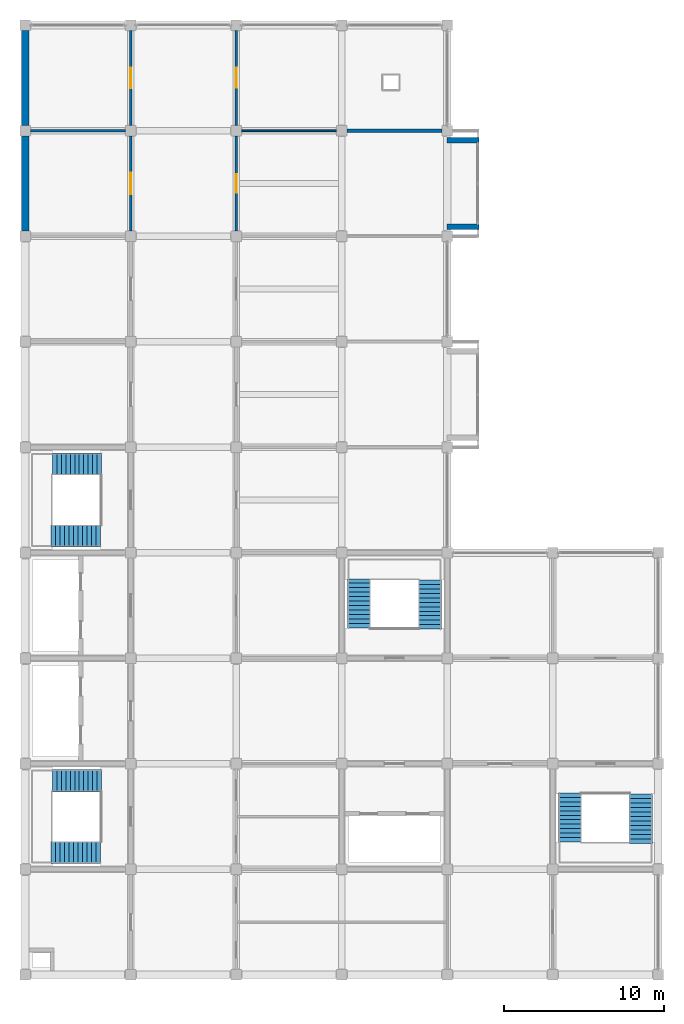
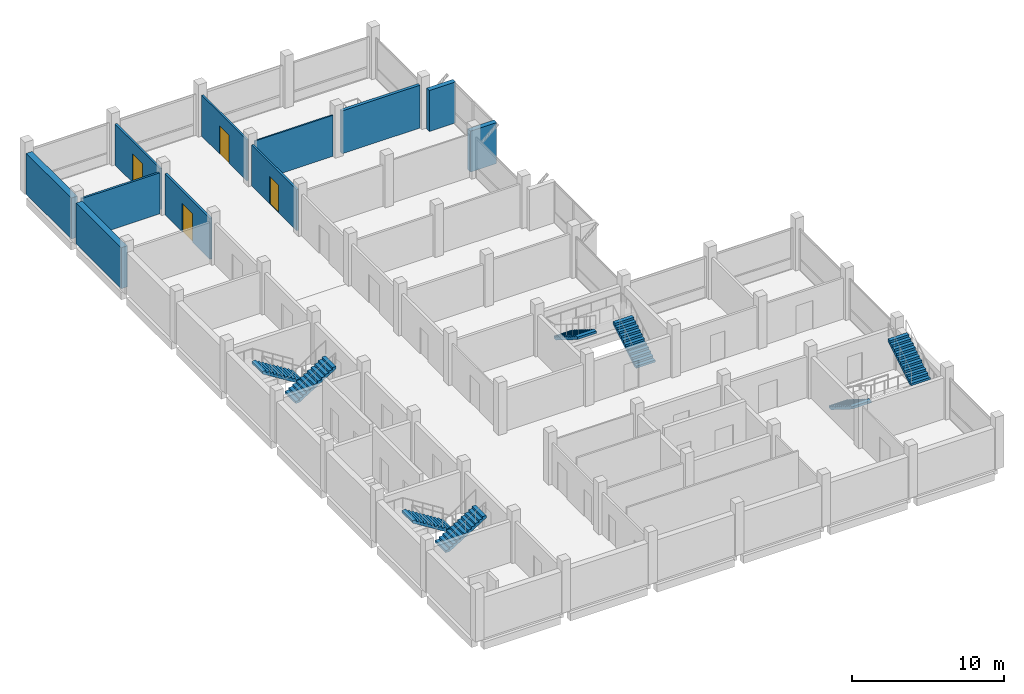
# One storey, part 9 of 10: 11 walls, 8 stair flights, 4 doors, 4 openings, 4 elements without a shape of their own.
"""IFC4 building model written with IfcOpenShell, lengths in metres."""

from ifc_helpers import new_model, si_unit, direction, frame, frame_2d, origin, place, context, subcontext, project, spatial, polyline, rectangle, outline, extrude, material, layer, layer_set, type_object, element, fill, aggregate, save


model = new_model("IFC4")

# Units and contexts
model_context = context("Model", 3, precision=1e-05, world=origin(), true_north=direction((0.0, 1.0)))
body_context = subcontext(model_context, "Body", "Model", "MODEL_VIEW")
ifc_project = project(units=[si_unit("LENGTHUNIT", "METRE"), si_unit("AREAUNIT", "SQUARE_METRE"), si_unit("VOLUMEUNIT", "CUBIC_METRE"), si_unit("PLANEANGLEUNIT", "RADIAN"), si_unit("MASSUNIT", "GRAM", prefix="KILO")], contexts=[model_context])

# Site, building, storey
site_placement = place(None, origin())
site = spatial("IfcSite", under=ifc_project, at=site_placement, CompositionType="ELEMENT")
building_placement = place(site_placement, origin())
building = spatial("IfcBuilding", under=site, at=building_placement, Name="Rusizi Kubbe Research Institute", CompositionType="ELEMENT")
storey_placement = place(building_placement, frame((0.0, 0.0, 52.199951171875)))
storey = spatial("IfcBuildingStorey", under=building, at=storey_placement, Name="L12", CompositionType="ELEMENT", Elevation=52.199951171875)

# Walls
ifc_material_1 = material(Name="Volcanic Basalt Ashlar Masonry", Category="masonry")
ifc_layer_1 = layer(ifc_material_1, 0.35498046875)
ifc_layer_set_1 = layer_set([ifc_layer_1], Name="Volcanic Basalt Ashlar Masonry")
wall_type_1 = type_object("IfcWallType", Name="EW-06", PredefinedType="SOLIDWALL", material=ifc_layer_set_1)
for number, where, z_axis, x_axis, name in (
    (1, (26.39990234375, 46.800048828125, 0.0), (0.0, 0.0, 1.0), (1.0, 0.0, 0.0), "Cumba Return Wall S L12 (4,7)"),
    (2, (26.39990234375, 52.199951171875, 0.0), (0.0, 0.0, 1.0), (1.0, 0.0, 0.0), "Cumba Return Wall N L12 (4,7)"),
):
    element("IfcWall", number, at=place(storey_placement, frame(where, z_axis=z_axis, x_axis=x_axis)), inside=storey, type_object=wall_type_1, Name=name, PredefinedType="SOLIDWALL", context=body_context, shape_type="SweptSolid", body=[
        extrude(rectangle(XDim=2.0, YDim=0.35498046875, at=frame_2d((1.0, 0.0))), origin(), (0.0, 0.0, 1.0), 3.300048828125),
    ])
ifc_material_2 = material(Name="Concrete Blockwork Fire Partition", Category="masonry")
ifc_layer_2 = layer(ifc_material_2, 0.22509765625)
ifc_layer_set_2 = layer_set([ifc_layer_2], Name="Concrete Blockwork Fire Partition")
wall_type_2 = type_object("IfcWallType", Name="IW-01", PredefinedType="PARTITIONING", material=ifc_layer_set_2)
wall_1_placement = place(storey_placement, frame((20.125, 52.800048828125, 0.0), z_axis=(0.0, 0.0, 1.0), x_axis=(1.0, 0.0, 0.0)))
element("IfcWall", 3, at=wall_1_placement, inside=storey, type_object=wall_type_2, Name="Interior Partition Wall L12 H3-8", PredefinedType="PARTITIONING", context=body_context, shape_type="SweptSolid", body=[
    extrude(rectangle(XDim=5.949951171875, YDim=0.22509765625, at=frame_2d((2.97509765625, 0.0))), origin(), (0.0, 0.0, 1.0), 3.449951171875),
])

# Wall, opening, door
ifc_material_3 = material(Name="Acoustic Laboratory Partition", Category="masonry")
ifc_layer_3 = layer(ifc_material_3, 0.175048828125)
ifc_layer_set_3 = layer_set([ifc_layer_3], Name="Acoustic Laboratory Partition")
wall_type_3 = type_object("IfcWallType", Name="IW-03", PredefinedType="PARTITIONING", material=ifc_layer_set_3)
wall_2_placement = place(storey_placement, frame((6.60009765625, 46.52490234375, 0.0), z_axis=(0.0, 0.0, 1.0), x_axis=(0.0, 1.0, 0.0)))
wall_2 = element("IfcWall", 4, at=wall_2_placement, inside=storey, type_object=wall_type_3, Name="Interior Partition Wall L12 V1-7", PredefinedType="PARTITIONING", context=body_context, shape_type="SweptSolid", body=[
    extrude(rectangle(XDim=5.9501953125, YDim=0.175048828125, at=frame_2d((2.97509765625, 0.0))), origin(), (0.0, 0.0, 1.0), 3.300048828125),
])
opening_1_placement = place(wall_2_placement, frame((2.300048828125, 0.0, 0.0)))
opening_1 = element("IfcOpeningElement", 5, at=opening_1_placement, cuts=wall_2, Name="Opening D-13", PredefinedType="OPENING", context=body_context, shape_type="SweptSolid", body=[
    extrude(rectangle(XDim=1.35009765625, YDim=2.300048828125, at=frame_2d((0.675048828125, 1.14990234375))), frame((0.0, 0.097412109375, 0.0), z_axis=(0.0, -1.0, 0.0), x_axis=(1.0, 0.0, 0.0)), (0.0, 0.0, 1.0), 0.195068359375),
])
ifc_material_4 = material(Name="Fire-Rated Steel Frame and Acoustic Timber Leaf", Category="wood")
door_type_1 = type_object("IfcDoorType", Name="ID-LAB-135", OperationType="NOTDEFINED", PredefinedType="DOOR", material=ifc_material_4)
door_1_placement = place(opening_1_placement, origin())
door_1 = element("IfcDoor", 6, at=door_1_placement, inside=storey, type_object=door_type_1, Name="Door to Clean Room Metrology Laboratory (L12-WSP-07)", OperationType="SINGLE_SWING_LEFT", OverallHeight=2.300048828125, OverallWidth=1.35009765625, PredefinedType="DOOR", context=body_context, shape_type="SweptSolid", body=[
    extrude(rectangle(XDim=1.35009765625, YDim=2.300048828125, at=frame_2d((0.675048828125, 1.14990234375))), frame((0.0, 0.02490234375, 0.0), z_axis=(0.0, -1.0, 0.0), x_axis=(1.0, 0.0, 0.0)), (0.0, 0.0, 1.0), 0.050048828125),
])
fill(opening_1, door_1)

# Wall
ifc_material_5 = material(Name="Fire-Rated Corridor Partition", Category="masonry")
ifc_layer_4 = layer(ifc_material_5, 0.155029296875)
ifc_layer_set_4 = layer_set([ifc_layer_4], Name="Fire-Rated Corridor Partition")
wall_type_4 = type_object("IfcWallType", Name="IW-04", PredefinedType="PARTITIONING", material=ifc_layer_set_4)
wall_3_placement = place(storey_placement, frame((0.324951171875, 52.800048828125, 0.0), z_axis=(0.0, 0.0, 1.0), x_axis=(1.0, 0.0, 0.0)))
element("IfcWall", 7, at=wall_3_placement, inside=storey, type_object=wall_type_4, Name="Interior Partition Wall L12 H0-8", PredefinedType="PARTITIONING", context=body_context, shape_type="SweptSolid", body=[
    extrude(rectangle(XDim=5.949951171875, YDim=0.155029296875, at=frame_2d((2.97509765625, 0.0))), origin(), (0.0, 0.0, 1.0), 3.300048828125),
])

# Wall, opening, door
wall_4_placement = place(storey_placement, frame((6.60009765625, 53.125, 0.0), z_axis=(0.0, 0.0, 1.0), x_axis=(0.0, 1.0, 0.0)))
wall_4 = element("IfcWall", 8, at=wall_4_placement, inside=storey, type_object=wall_type_4, Name="Interior Partition Wall L12 V1-8", PredefinedType="PARTITIONING", context=body_context, shape_type="SweptSolid", body=[
    extrude(rectangle(XDim=5.949951171875, YDim=0.155029296875, at=frame_2d((2.97509765625, 0.0))), origin(), (0.0, 0.0, 1.0), 3.300048828125),
])
opening_2_placement = place(wall_4_placement, frame((2.324951171875, 0.0, 0.0)))
opening_2 = element("IfcOpeningElement", 9, at=opening_2_placement, cuts=wall_4, Name="Opening D-14", PredefinedType="OPENING", context=body_context, shape_type="SweptSolid", body=[
    extrude(rectangle(XDim=1.300048828125, YDim=2.300048828125, at=frame_2d((0.64990234375, 1.14990234375))), frame((0.0, 0.08740234375, 0.0), z_axis=(0.0, -1.0, 0.0), x_axis=(1.0, 0.0, 0.0)), (0.0, 0.0, 1.0), 0.175048828125),
])
ifc_material_6 = material(Name="Fire-Rated Steel Frame and Acoustic Timber Leaf", Category="wood")
door_type_2 = type_object("IfcDoorType", Name="ID-LAB-130", OperationType="NOTDEFINED", PredefinedType="DOOR", material=ifc_material_6)
door_2_placement = place(opening_2_placement, origin())
door_2 = element("IfcDoor", 10, at=door_2_placement, inside=storey, type_object=door_type_2, Name="Door to Service Spine Autoclave Room (L12-WSP-08)", OperationType="SINGLE_SWING_RIGHT", OverallHeight=2.300048828125, OverallWidth=1.300048828125, PredefinedType="DOOR", context=body_context, shape_type="SweptSolid", body=[
    extrude(rectangle(XDim=1.300048828125, YDim=2.300048828125, at=frame_2d((0.64990234375, 1.14990234375))), frame((0.0, 0.02490234375, 0.0), z_axis=(0.0, -1.0, 0.0), x_axis=(1.0, 0.0, 0.0)), (0.0, 0.0, 1.0), 0.050048828125),
])
fill(opening_2, door_2)

wall_5_placement = place(storey_placement, frame((13.199951171875, 46.52490234375, 0.0), z_axis=(0.0, 0.0, 1.0), x_axis=(0.0, 1.0, 0.0)))
wall_5 = element("IfcWall", 11, at=wall_5_placement, inside=storey, type_object=wall_type_4, Name="Interior Partition Wall L12 V2-7", PredefinedType="PARTITIONING", context=body_context, shape_type="SweptSolid", body=[
    extrude(rectangle(XDim=5.9501953125, YDim=0.155029296875, at=frame_2d((2.97509765625, 0.0))), origin(), (0.0, 0.0, 1.0), 3.300048828125),
])
opening_3_placement = place(wall_5_placement, frame((2.385009765625, 0.0, 0.0)))
opening_3 = element("IfcOpeningElement", 12, at=opening_3_placement, cuts=wall_5, Name="Opening D-19", PredefinedType="OPENING", context=body_context, shape_type="SweptSolid", body=[
    extrude(rectangle(XDim=1.179931640625, YDim=2.199951171875, at=frame_2d((0.58984375, 1.10009765625))), frame((0.0, 0.08740234375, 0.0), z_axis=(0.0, -1.0, 0.0), x_axis=(1.0, 0.0, 0.0)), (0.0, 0.0, 1.0), 0.175048828125),
])
ifc_material_7 = material(Name="Fire-Rated Steel Frame and Acoustic Timber Leaf", Category="wood")
door_type_3 = type_object("IfcDoorType", Name="ID-OFF-118", OperationType="NOTDEFINED", PredefinedType="DOOR", material=ifc_material_7)
door_3_placement = place(opening_3_placement, origin())
door_3 = element("IfcDoor", 13, at=door_3_placement, inside=storey, type_object=door_type_3, Name="Door to Write-up Office (L12-NW-05)", OperationType="SINGLE_SWING_RIGHT", OverallHeight=2.199951171875, OverallWidth=1.179931640625, PredefinedType="DOOR", context=body_context, shape_type="SweptSolid", body=[
    extrude(rectangle(XDim=1.179931640625, YDim=2.199951171875, at=frame_2d((0.58984375, 1.10009765625))), frame((0.0, 0.02490234375, 0.0), z_axis=(0.0, -1.0, 0.0), x_axis=(1.0, 0.0, 0.0)), (0.0, 0.0, 1.0), 0.050048828125),
])
fill(opening_3, door_3)

ifc_material_8 = material(Name="Write-up Glazed Acoustic Partition", Category="masonry")
ifc_layer_5 = layer(ifc_material_8, 0.139892578125)
ifc_layer_set_5 = layer_set([ifc_layer_5], Name="Write-up Glazed Acoustic Partition")
wall_type_5 = type_object("IfcWallType", Name="IW-05", PredefinedType="PARTITIONING", material=ifc_layer_set_5)
wall_6_placement = place(storey_placement, frame((13.199951171875, 53.125, 0.0), z_axis=(0.0, 0.0, 1.0), x_axis=(0.0, 1.0, 0.0)))
wall_6 = element("IfcWall", 14, at=wall_6_placement, inside=storey, type_object=wall_type_5, Name="Interior Partition Wall L12 V2-8", PredefinedType="PARTITIONING", context=body_context, shape_type="SweptSolid", body=[
    extrude(rectangle(XDim=5.949951171875, YDim=0.139892578125, at=frame_2d((2.97509765625, 0.0))), origin(), (0.0, 0.0, 1.0), 3.300048828125),
])
opening_4_placement = place(wall_6_placement, frame((2.35009765625, 0.0, 0.0)))
opening_4 = element("IfcOpeningElement", 15, at=opening_4_placement, cuts=wall_6, Name="Opening D-15", PredefinedType="OPENING", context=body_context, shape_type="SweptSolid", body=[
    extrude(rectangle(XDim=1.25, YDim=2.25, at=frame_2d((0.625, 1.125))), frame((0.0, 0.079833984375, 0.0), z_axis=(0.0, -1.0, 0.0), x_axis=(1.0, 0.0, 0.0)), (0.0, 0.0, 1.0), 0.159912109375),
])
ifc_material_9 = material(Name="Fire-Rated Steel Frame and Acoustic Timber Leaf", Category="wood")
door_type_4 = type_object("IfcDoorType", Name="ID-LAB-125", OperationType="NOTDEFINED", PredefinedType="DOOR", material=ifc_material_9)
door_4_placement = place(opening_4_placement, origin())
door_4 = element("IfcDoor", 16, at=door_4_placement, inside=storey, type_object=door_type_4, Name="Door to Bioscience Wet Laboratory (L12-NW-06)", OperationType="SINGLE_SWING_LEFT", OverallHeight=2.25, OverallWidth=1.25, PredefinedType="DOOR", context=body_context, shape_type="SweptSolid", body=[
    extrude(rectangle(XDim=1.25, YDim=2.25, at=frame_2d((0.625, 1.125))), frame((0.0, 0.02490234375, 0.0), z_axis=(0.0, -1.0, 0.0), x_axis=(1.0, 0.0, 0.0)), (0.0, 0.0, 1.0), 0.050048828125),
])
fill(opening_4, door_4)

# Walls
ifc_material_10 = material(Name="Sub-Suite Fire Partition", Category="masonry")
ifc_layer_6 = layer(ifc_material_10, 0.110107421875)
ifc_layer_set_6 = layer_set([ifc_layer_6], Name="Sub-Suite Fire Partition")
wall_type_6 = type_object("IfcWallType", Name="IW-07", PredefinedType="PARTITIONING", material=ifc_layer_set_6)
wall_7_placement = place(storey_placement, frame((13.52490234375, 52.800048828125, 0.0), z_axis=(0.0, 0.0, 1.0), x_axis=(1.0, 0.0, 0.0)))
element("IfcWall", 17, at=wall_7_placement, inside=storey, type_object=wall_type_6, Name="Interior Partition Wall L12 H2-8", PredefinedType="PARTITIONING", context=body_context, shape_type="SweptSolid", body=[
    extrude(rectangle(XDim=5.9501953125, YDim=0.110107421875, at=frame_2d((2.97509765625, 0.0))), origin(), (0.0, 0.0, 1.0), 3.300048828125),
])
ifc_material_11 = material(Name="Concrete C40/50", Category="concrete")
ifc_layer_7 = layer(ifc_material_11, 0.4599609375)
ifc_layer_set_7 = layer_set([ifc_layer_7], Name="Concrete C40/50")
wall_type_7 = type_object("IfcWallType", Name="PW-02", PredefinedType="SOLIDWALL", material=ifc_layer_set_7)
wall_8_placement = place(storey_placement, frame((0.0, 46.52490234375, 0.0), z_axis=(0.0, 0.0, 1.0), x_axis=(0.0, 1.0, 0.0)))
element("IfcWall", 18, at=wall_8_placement, inside=storey, type_object=wall_type_7, Name="Blind Party Wall L12 V0-7", PredefinedType="SOLIDWALL", context=body_context, shape_type="SweptSolid", body=[
    extrude(rectangle(XDim=5.9501953125, YDim=0.4599609375, at=frame_2d((2.97509765625, 0.0))), origin(), (0.0, 0.0, 1.0), 3.300048828125),
])
wall_9_placement = place(storey_placement, frame((0.0, 53.125, 0.0), z_axis=(0.0, 0.0, 1.0), x_axis=(0.0, 1.0, 0.0)))
element("IfcWall", 19, at=wall_9_placement, inside=storey, type_object=wall_type_7, Name="Blind Party Wall L12 V0-8", PredefinedType="SOLIDWALL", context=body_context, shape_type="SweptSolid", body=[
    extrude(rectangle(XDim=5.949951171875, YDim=0.4599609375, at=frame_2d((2.97509765625, 0.0))), origin(), (0.0, 0.0, 1.0), 3.300048828125),
])

# Stair, stair flights
ifc_material_12 = material(Name="Concrete C40/50", Category="concrete")
stair_type_1 = type_object("IfcStairType", Name="ST-H420A", PredefinedType="HALF_TURN_STAIR", material=ifc_material_12)
stair_1_placement = place(storey_placement, origin())
stair_1 = element("IfcStair", 20, at=stair_1_placement, inside=storey, type_object=stair_type_1, Name="Protected Exit Stair ST1 (L12)", PredefinedType="HALF_TURN_STAIR")
ifc_material_13 = material(Name="Concrete C40/50", Category="concrete")
stair_flight_type_1 = type_object("IfcStairFlightType", Name="FL-H420A", PredefinedType="STRAIGHT", material=ifc_material_13)
stair_flight_1_placement = place(storey_placement, frame((4.780029296875, 12.14990234375, 0.0), z_axis=(0.0, 0.0, 1.0), x_axis=(-1.0, 0.0, 0.0)))
stair_flight_1 = element("IfcStairFlight", 21, at=stair_flight_1_placement, type_object=stair_flight_type_1, Name="ST1 flight 1", NumberOfRisers=12, NumberOfTreads=11, PredefinedType="STRAIGHT", RiserHeight=0.175, TreadLength=0.28, context=body_context, shape_type="SweptSolid", body=[
    extrude(outline(polyline([(0.0, 0.0), (0.0, 0.175048828125), (0.280029296875, 0.175048828125), (0.280029296875, 0.35009765625), (0.56005859375, 0.35009765625), (0.56005859375, 0.52490234375), (0.840087890625, 0.52490234375), (0.840087890625, 0.699951171875), (1.1201171875, 0.699951171875), (1.1201171875, 0.875), (1.39990234375, 0.875), (1.39990234375, 1.050048828125), (1.679931640625, 1.050048828125), (1.679931640625, 1.22509765625), (1.9599609375, 1.22509765625), (1.9599609375, 1.39990234375), (2.239990234375, 1.39990234375), (2.239990234375, 1.574951171875), (2.52001953125, 1.574951171875), (2.52001953125, 1.75), (2.800048828125, 1.75), (2.800048828125, 1.925048828125), (3.080078125, 1.925048828125), (3.080078125, 2.10009765625), (3.080078125, 1.736328125), (0.3017578125, 0.0), (0.0, 0.0)])), frame((0.0, 0.699951171875, 0.0), z_axis=(0.0, -1.0, 0.0), x_axis=(1.0, 0.0, 0.0)), (0.0, 0.0, 1.0), 1.39990234375),
])
stair_flight_2_placement = place(storey_placement, frame((1.6259765625, 7.64990234375, 2.10009765625), z_axis=(0.0, 0.0, 1.0), x_axis=(1.0, 0.0, 0.0)))
stair_flight_2 = element("IfcStairFlight", 22, at=stair_flight_2_placement, type_object=stair_flight_type_1, Name="ST1 flight 2", NumberOfRisers=12, NumberOfTreads=11, PredefinedType="STRAIGHT", RiserHeight=0.175, TreadLength=0.28, context=body_context, shape_type="SweptSolid", body=[
    extrude(outline(polyline([(0.0, 0.0), (0.0, 0.175048828125), (0.280029296875, 0.175048828125), (0.280029296875, 0.35009765625), (0.56005859375, 0.35009765625), (0.56005859375, 0.52490234375), (0.840087890625, 0.52490234375), (0.840087890625, 0.699951171875), (1.1201171875, 0.699951171875), (1.1201171875, 0.875), (1.39990234375, 0.875), (1.39990234375, 1.050048828125), (1.679931640625, 1.050048828125), (1.679931640625, 1.22509765625), (1.9599609375, 1.22509765625), (1.9599609375, 1.39990234375), (2.239990234375, 1.39990234375), (2.239990234375, 1.574951171875), (2.52001953125, 1.574951171875), (2.52001953125, 1.75), (2.800048828125, 1.75), (2.800048828125, 1.925048828125), (3.080078125, 1.925048828125), (3.080078125, 2.10009765625), (3.080078125, 1.736328125), (0.3017578125, 0.0), (0.0, 0.0)])), frame((0.0, 0.699951171875, 0.0), z_axis=(0.0, -1.0, 0.0), x_axis=(1.0, 0.0, 0.0)), (0.0, 0.0, 1.0), 1.39990234375),
])
aggregate(stair_1, [stair_flight_1, stair_flight_2])

stair_2_placement = place(storey_placement, origin())
stair_2 = element("IfcStair", 23, at=stair_2_placement, inside=storey, type_object=stair_type_1, Name="Protected Exit Stair ST2 (L12)", PredefinedType="HALF_TURN_STAIR")
stair_flight_3_placement = place(storey_placement, frame((4.780029296875, 31.949951171875, 0.0), z_axis=(0.0, 0.0, 1.0), x_axis=(-1.0, 0.0, 0.0)))
stair_flight_3 = element("IfcStairFlight", 24, at=stair_flight_3_placement, type_object=stair_flight_type_1, Name="ST2 flight 1", NumberOfRisers=12, NumberOfTreads=11, PredefinedType="STRAIGHT", RiserHeight=0.175, TreadLength=0.28, context=body_context, shape_type="SweptSolid", body=[
    extrude(outline(polyline([(0.0, 0.0), (0.0, 0.175048828125), (0.280029296875, 0.175048828125), (0.280029296875, 0.35009765625), (0.56005859375, 0.35009765625), (0.56005859375, 0.52490234375), (0.840087890625, 0.52490234375), (0.840087890625, 0.699951171875), (1.1201171875, 0.699951171875), (1.1201171875, 0.875), (1.39990234375, 0.875), (1.39990234375, 1.050048828125), (1.679931640625, 1.050048828125), (1.679931640625, 1.22509765625), (1.9599609375, 1.22509765625), (1.9599609375, 1.39990234375), (2.239990234375, 1.39990234375), (2.239990234375, 1.574951171875), (2.52001953125, 1.574951171875), (2.52001953125, 1.75), (2.800048828125, 1.75), (2.800048828125, 1.925048828125), (3.080078125, 1.925048828125), (3.080078125, 2.10009765625), (3.080078125, 1.736328125), (0.3017578125, 0.0), (0.0, 0.0)])), frame((0.0, 0.699951171875, 0.0), z_axis=(0.0, -1.0, 0.0), x_axis=(1.0, 0.0, 0.0)), (0.0, 0.0, 1.0), 1.39990234375),
])
stair_flight_4_placement = place(storey_placement, frame((1.6259765625, 27.449951171875, 2.10009765625), z_axis=(0.0, 0.0, 1.0), x_axis=(1.0, 0.0, 0.0)))
stair_flight_4 = element("IfcStairFlight", 25, at=stair_flight_4_placement, type_object=stair_flight_type_1, Name="ST2 flight 2", NumberOfRisers=12, NumberOfTreads=11, PredefinedType="STRAIGHT", RiserHeight=0.175, TreadLength=0.28, context=body_context, shape_type="SweptSolid", body=[
    extrude(outline(polyline([(0.0, 0.0), (0.0, 0.175048828125), (0.280029296875, 0.175048828125), (0.280029296875, 0.35009765625), (0.56005859375, 0.35009765625), (0.56005859375, 0.52490234375), (0.840087890625, 0.52490234375), (0.840087890625, 0.699951171875), (1.1201171875, 0.699951171875), (1.1201171875, 0.875), (1.39990234375, 0.875), (1.39990234375, 1.050048828125), (1.679931640625, 1.050048828125), (1.679931640625, 1.22509765625), (1.9599609375, 1.22509765625), (1.9599609375, 1.39990234375), (2.239990234375, 1.39990234375), (2.239990234375, 1.574951171875), (2.52001953125, 1.574951171875), (2.52001953125, 1.75), (2.800048828125, 1.75), (2.800048828125, 1.925048828125), (3.080078125, 1.925048828125), (3.080078125, 2.10009765625), (3.080078125, 1.736328125), (0.3017578125, 0.0), (0.0, 0.0)])), frame((0.0, 0.699951171875, 0.0), z_axis=(0.0, -1.0, 0.0), x_axis=(1.0, 0.0, 0.0)), (0.0, 0.0, 1.0), 1.39990234375),
])
aggregate(stair_2, [stair_flight_3, stair_flight_4])

ifc_material_14 = material(Name="Concrete C40/50", Category="concrete")
stair_type_2 = type_object("IfcStairType", Name="ST-H420B", PredefinedType="HALF_TURN_STAIR", material=ifc_material_14)
stair_3_placement = place(storey_placement, origin())
stair_3 = element("IfcStair", 26, at=stair_3_placement, inside=storey, type_object=stair_type_2, Name="Protected Exit Stair ST3 (L12)", PredefinedType="HALF_TURN_STAIR")
ifc_material_15 = material(Name="Concrete C40/50", Category="concrete")
stair_flight_type_2 = type_object("IfcStairFlightType", Name="FL-H420B", PredefinedType="STRAIGHT", material=ifc_material_15)
stair_flight_5_placement = place(storey_placement, frame((25.324951171875, 21.6201171875, 0.0), z_axis=(0.0, 0.0, 1.0), x_axis=(0.0, 1.0, 0.0)))
stair_flight_5 = element("IfcStairFlight", 27, at=stair_flight_5_placement, type_object=stair_flight_type_2, Name="ST3 flight 1", NumberOfRisers=12, NumberOfTreads=11, PredefinedType="STRAIGHT", RiserHeight=0.175, TreadLength=0.28, context=body_context, shape_type="SweptSolid", body=[
    extrude(outline(polyline([(0.0, 0.0), (0.0, 0.175048828125), (0.280029296875, 0.175048828125), (0.280029296875, 0.35009765625), (0.56005859375, 0.35009765625), (0.56005859375, 0.52490234375), (0.840087890625, 0.52490234375), (0.840087890625, 0.699951171875), (1.1201171875, 0.699951171875), (1.1201171875, 0.875), (1.39990234375, 0.875), (1.39990234375, 1.050048828125), (1.679931640625, 1.050048828125), (1.679931640625, 1.22509765625), (1.9599609375, 1.22509765625), (1.9599609375, 1.39990234375), (2.239990234375, 1.39990234375), (2.239990234375, 1.574951171875), (2.52001953125, 1.574951171875), (2.52001953125, 1.75), (2.800048828125, 1.75), (2.800048828125, 1.925048828125), (3.080078125, 1.925048828125), (3.080078125, 2.10009765625), (3.080078125, 1.736328125), (0.3017578125, 0.0), (0.0, 0.0)])), frame((0.0, 0.72509765625, 0.0), z_axis=(0.0, -1.0, 0.0), x_axis=(1.0, 0.0, 0.0)), (0.0, 0.0, 1.0), 1.449951171875),
])
stair_flight_6_placement = place(storey_placement, frame((20.875, 24.77392578125, 2.10009765625), z_axis=(0.0, 0.0, 1.0), x_axis=(0.0, -1.0, 0.0)))
stair_flight_6 = element("IfcStairFlight", 28, at=stair_flight_6_placement, type_object=stair_flight_type_2, Name="ST3 flight 2", NumberOfRisers=12, NumberOfTreads=11, PredefinedType="STRAIGHT", RiserHeight=0.175, TreadLength=0.28, context=body_context, shape_type="SweptSolid", body=[
    extrude(outline(polyline([(0.0, 0.0), (0.0, 0.175048828125), (0.280029296875, 0.175048828125), (0.280029296875, 0.35009765625), (0.56005859375, 0.35009765625), (0.56005859375, 0.52490234375), (0.840087890625, 0.52490234375), (0.840087890625, 0.699951171875), (1.1201171875, 0.699951171875), (1.1201171875, 0.875), (1.39990234375, 0.875), (1.39990234375, 1.050048828125), (1.679931640625, 1.050048828125), (1.679931640625, 1.22509765625), (1.9599609375, 1.22509765625), (1.9599609375, 1.39990234375), (2.239990234375, 1.39990234375), (2.239990234375, 1.574951171875), (2.52001953125, 1.574951171875), (2.52001953125, 1.75), (2.800048828125, 1.75), (2.800048828125, 1.925048828125), (3.080078125, 1.925048828125), (3.080078125, 2.10009765625), (3.080078125, 1.736328125), (0.3017578125, 0.0), (0.0, 0.0)])), frame((0.0, 0.72509765625, 0.0), z_axis=(0.0, -1.0, 0.0), x_axis=(1.0, 0.0, 0.0)), (0.0, 0.0, 1.0), 1.449951171875),
])
aggregate(stair_3, [stair_flight_5, stair_flight_6])

stair_4_placement = place(storey_placement, origin())
stair_4 = element("IfcStair", 29, at=stair_4_placement, inside=storey, type_object=stair_type_2, Name="Protected Exit Stair ST4 (L12)", PredefinedType="HALF_TURN_STAIR")
stair_flight_7_placement = place(storey_placement, frame((34.074951171875, 11.3798828125, 0.0), z_axis=(0.0, 0.0, 1.0), x_axis=(0.0, -1.0, 0.0)))
stair_flight_7 = element("IfcStairFlight", 30, at=stair_flight_7_placement, type_object=stair_flight_type_2, Name="ST4 flight 1", NumberOfRisers=12, NumberOfTreads=11, PredefinedType="STRAIGHT", RiserHeight=0.175, TreadLength=0.28, context=body_context, shape_type="SweptSolid", body=[
    extrude(outline(polyline([(0.0, 0.0), (0.0, 0.175048828125), (0.280029296875, 0.175048828125), (0.280029296875, 0.35009765625), (0.56005859375, 0.35009765625), (0.56005859375, 0.52490234375), (0.840087890625, 0.52490234375), (0.840087890625, 0.699951171875), (1.1201171875, 0.699951171875), (1.1201171875, 0.875), (1.39990234375, 0.875), (1.39990234375, 1.050048828125), (1.679931640625, 1.050048828125), (1.679931640625, 1.22509765625), (1.9599609375, 1.22509765625), (1.9599609375, 1.39990234375), (2.239990234375, 1.39990234375), (2.239990234375, 1.574951171875), (2.52001953125, 1.574951171875), (2.52001953125, 1.75), (2.800048828125, 1.75), (2.800048828125, 1.925048828125), (3.080078125, 1.925048828125), (3.080078125, 2.10009765625), (3.080078125, 1.736328125), (0.3017578125, 0.0), (0.0, 0.0)])), frame((0.0, 0.72509765625, 0.0), z_axis=(0.0, -1.0, 0.0), x_axis=(1.0, 0.0, 0.0)), (0.0, 0.0, 1.0), 1.449951171875),
])
stair_flight_8_placement = place(storey_placement, frame((38.52490234375, 8.22607421875, 2.10009765625), z_axis=(0.0, 0.0, 1.0), x_axis=(0.0, 1.0, 0.0)))
stair_flight_8 = element("IfcStairFlight", 31, at=stair_flight_8_placement, type_object=stair_flight_type_2, Name="ST4 flight 2", NumberOfRisers=12, NumberOfTreads=11, PredefinedType="STRAIGHT", RiserHeight=0.175, TreadLength=0.28, context=body_context, shape_type="SweptSolid", body=[
    extrude(outline(polyline([(0.0, 0.0), (0.0, 0.175048828125), (0.280029296875, 0.175048828125), (0.280029296875, 0.35009765625), (0.56005859375, 0.35009765625), (0.56005859375, 0.52490234375), (0.840087890625, 0.52490234375), (0.840087890625, 0.699951171875), (1.1201171875, 0.699951171875), (1.1201171875, 0.875), (1.39990234375, 0.875), (1.39990234375, 1.050048828125), (1.679931640625, 1.050048828125), (1.679931640625, 1.22509765625), (1.9599609375, 1.22509765625), (1.9599609375, 1.39990234375), (2.239990234375, 1.39990234375), (2.239990234375, 1.574951171875), (2.52001953125, 1.574951171875), (2.52001953125, 1.75), (2.800048828125, 1.75), (2.800048828125, 1.925048828125), (3.080078125, 1.925048828125), (3.080078125, 2.10009765625), (3.080078125, 1.736328125), (0.3017578125, 0.0), (0.0, 0.0)])), frame((0.0, 0.72509765625, 0.0), z_axis=(0.0, -1.0, 0.0), x_axis=(1.0, 0.0, 0.0)), (0.0, 0.0, 1.0), 1.449951171875),
])
aggregate(stair_4, [stair_flight_7, stair_flight_8])

save(model, "model.ifc")
